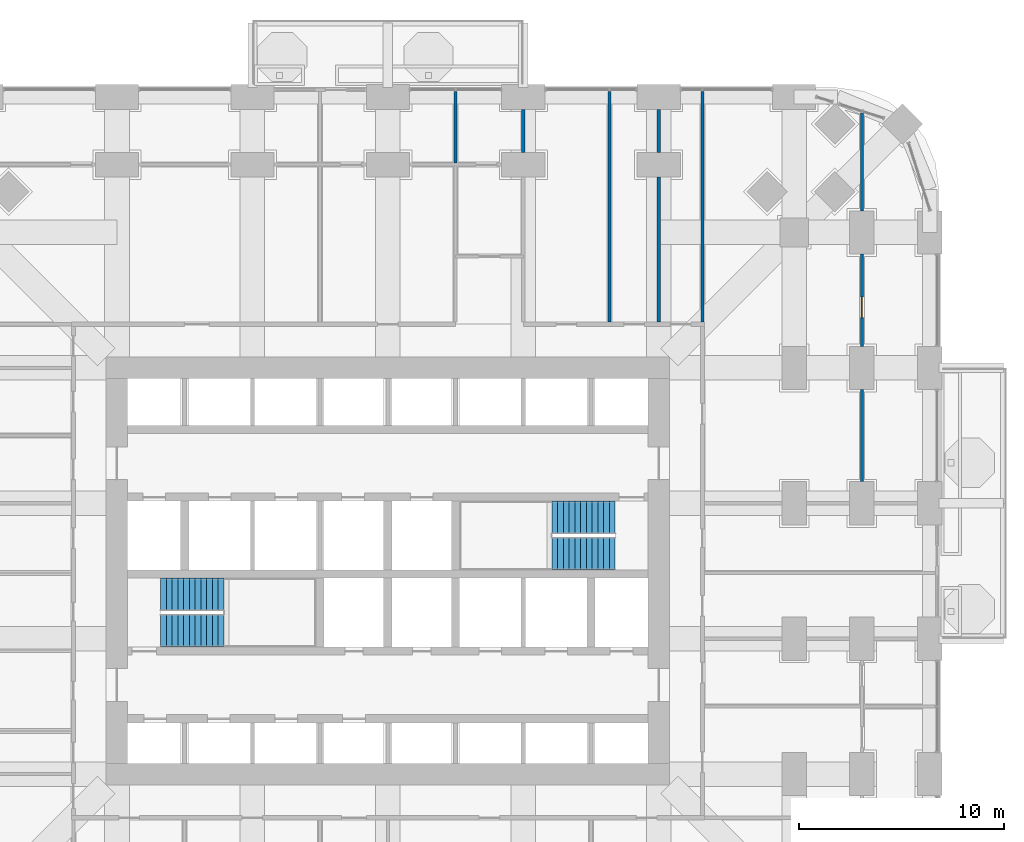
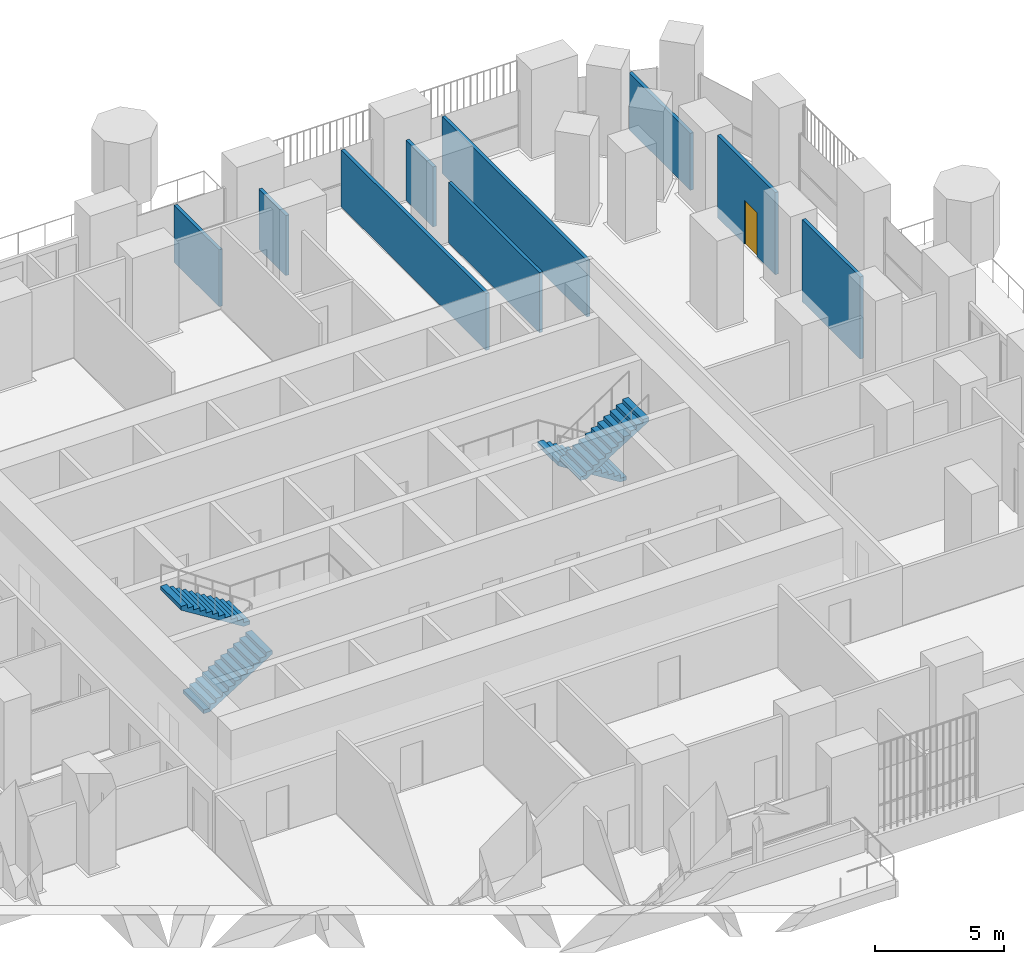
# One storey, part 21 of 26: 9 walls, 4 stair flights, 1 door, 1 opening, 2 elements without a shape of their own.
"""IFC4 building model written with IfcOpenShell, lengths in metres."""

import ifcopenshell
import ifcopenshell.guid

model = None  # the IFC model being written
_history = None  # IfcOwnerHistory: only IFC2X3 demands one
_inside = {}  # id of a spatial element -> (the spatial element, [elements in it])
_under = {}  # id of a project, library or spatial element -> (it, [spatial elements below it])
_declared = {}  # id of a project -> (the project, [libraries it declares])
_typed = {}  # id of a type object -> (the type object, [elements of that type])
_made_of = {}  # id of a material, layer set ... -> (it, [elements and type objects made of it])


def new_model(schema):
    """Start an empty IFC model of exactly this schema.

    Asked for "IFC4X3", IfcOpenShell would pick the latest addendum, in which some entities
    have other attributes; the version numbers below select the first issue.
    IFC2X3 requires an IfcOwnerHistory on every rooted entity: one is made here for all.
    """
    global model, _history
    if schema == "IFC4X3":
        model = ifcopenshell.file(schema_version=(4, 3, 0, 0))
    else:
        model = ifcopenshell.file(schema=schema)
    _inside.clear()
    _under.clear()
    _declared.clear()
    _typed.clear()
    _made_of.clear()
    _history = None
    if model.schema == "IFC2X3":
        org = make("IfcOrganization", Name="unknown")
        user = make(
            "IfcPersonAndOrganization",
            ThePerson=make("IfcPerson", FamilyName="unknown"),
            TheOrganization=org,
        )
        app = make(
            "IfcApplication",
            ApplicationDeveloper=org,
            Version="unknown",
            ApplicationFullName="unknown",
            ApplicationIdentifier="unknown",
        )
        _history = make(
            "IfcOwnerHistory",
            OwningUser=user,
            OwningApplication=app,
            ChangeAction="ADDED",
            CreationDate=0,
        )
    return model


def make(cls, **values):
    """One entity of the class cls with the attributes given. An attribute that is None is left unset."""
    return model.create_entity(
        cls, **{name: value for name, value in values.items() if value is not None}
    )


def rooted(cls, **values):
    """An entity with a GlobalId (a new one), such as an element, a storey or a relation."""
    return make(cls, GlobalId=ifcopenshell.guid.new(), OwnerHistory=_history, **values)


def si_unit(unit_type, name, prefix=None):
    """IfcSIUnit, for example si_unit("LENGTHUNIT", "METRE", prefix="MILLI")."""
    return make("IfcSIUnit", UnitType=unit_type, Prefix=prefix, Name=name)


def assignment(units):
    """IfcUnitAssignment: the units of a project."""
    return None if units is None else make("IfcUnitAssignment", Units=units)


def point(xyz):
    """IfcCartesianPoint."""
    return None if xyz is None else make("IfcCartesianPoint", Coordinates=xyz)


def direction(xyz):
    """IfcDirection."""
    return None if xyz is None else make("IfcDirection", DirectionRatios=xyz)


def frame(location, z_axis=None, x_axis=None):
    """IfcAxis2Placement3D, a coordinate frame: its origin and axes. An axis left out is left unset."""
    return make(
        "IfcAxis2Placement3D",
        Location=point(location),
        Axis=direction(z_axis),
        RefDirection=direction(x_axis),
    )


def frame_2d(location, x_axis=None):
    """IfcAxis2Placement2D, a coordinate frame in the plane: its origin and x axis."""
    return make(
        "IfcAxis2Placement2D", Location=point(location), RefDirection=direction(x_axis)
    )


def origin():
    """The frame at (0, 0, 0) with its axes left unset."""
    return frame((0.0, 0.0, 0.0))


def place(relative_to, where):
    """IfcLocalPlacement: puts the frame where relative to a parent placement (None: the world)."""
    return make(
        "IfcLocalPlacement", PlacementRelTo=relative_to, RelativePlacement=where
    )


def context(
    kind, dimensions, precision=None, world=None, true_north=None, identifier=None
):
    """IfcGeometricRepresentationContext, for example the 3D "Model" context."""
    return make(
        "IfcGeometricRepresentationContext",
        ContextIdentifier=identifier,
        ContextType=kind,
        CoordinateSpaceDimension=dimensions,
        Precision=precision,
        WorldCoordinateSystem=world,
        TrueNorth=true_north,
    )


def subcontext(parent, identifier, kind, view, scale=None):
    """IfcGeometricRepresentationSubContext, for example "Body" below "Model"."""
    return make(
        "IfcGeometricRepresentationSubContext",
        ContextIdentifier=identifier,
        ContextType=kind,
        ParentContext=parent,
        TargetScale=scale,
        TargetView=view,
    )


def project(units=None, contexts=None):
    """IfcProject with its units and contexts."""
    return rooted(
        "IfcProject",
        Name="project",
        RepresentationContexts=contexts,
        UnitsInContext=assignment(units),
    )


def spatial(cls, under=None, at=None, **own):
    """A site, building, storey or space (cls), placed at a placement, below another one or the project."""
    s = rooted(cls, ObjectPlacement=at, **own)
    if under is not None:
        _under.setdefault(under.id(), (under, []))[1].append(s)
    return s


def polyline(points):
    """IfcPolyline through the points."""
    return make("IfcPolyline", Points=[point(p) for p in points])


def profile(cls, at=None, kind="AREA", **sizes):
    """A parametric profile (cls). Its sizes go by their IFC names, for example OverallWidth=200.0."""
    return make(cls, ProfileType=kind, Position=at, **sizes)


def rectangle(**sizes):
    """IfcRectangleProfileDef."""
    return profile("IfcRectangleProfileDef", **sizes)


def outline(outer, holes=None, kind="AREA"):
    """IfcArbitraryClosedProfileDef: a profile drawn as a closed curve; with holes, ...WithVoids."""
    if holes is None:
        return make("IfcArbitraryClosedProfileDef", ProfileType=kind, OuterCurve=outer)
    return make(
        "IfcArbitraryProfileDefWithVoids",
        ProfileType=kind,
        OuterCurve=outer,
        InnerCurves=holes,
    )


def extrude(swept, where, along, depth):
    """IfcExtrudedAreaSolid: the profile swept, set in the frame where, extruded along a direction by depth."""
    return make(
        "IfcExtrudedAreaSolid",
        SweptArea=swept,
        Position=where,
        ExtrudedDirection=direction(along),
        Depth=depth,
    )


def shape(context_of_items, identifier, shape_type, items):
    """IfcShapeRepresentation: the items that make up one representation, for example the "Body"."""
    return make(
        "IfcShapeRepresentation",
        ContextOfItems=context_of_items,
        RepresentationIdentifier=identifier,
        RepresentationType=shape_type,
        Items=items,
    )


def material(Name=None, Category=None):
    """IfcMaterial."""
    return make("IfcMaterial", Name=Name, Category=Category)


def layer(
    of_material, thickness, ventilated=None, Name=None, Category=None, Priority=None
):
    """IfcMaterialLayer: one layer of a wall or slab, of a material (None: an air gap)."""
    return make(
        "IfcMaterialLayer",
        Material=of_material,
        LayerThickness=thickness,
        IsVentilated=ventilated,
        Name=Name,
        Category=Category,
        Priority=Priority,
    )


def layer_set(layers, Name=None):
    """IfcMaterialLayerSet."""
    return make("IfcMaterialLayerSet", MaterialLayers=layers, LayerSetName=Name)


def made_of(thing, what):
    """Note that an element or type object is made of a material, layer set ...; save() writes the relation."""
    if what is not None:
        _made_of.setdefault(what.id(), (what, []))[1].append(thing)
    return thing


def type_object(cls, material=None, **own):
    """A type object (cls), such as IfcWallType, which elements share."""
    return made_of(rooted(cls, **own), material)


def element(
    cls,
    number,
    at=None,
    inside=None,
    cuts=None,
    type_object=None,
    material=None,
    context=None,
    identifier="Body",
    shape_type=None,
    held_by="IfcProductDefinitionShape",
    body=None,
    shapes=None,
    **own,
):
    """One element of the class cls, such as IfcWall. Its Tag is "e" and its number.

    at: its placement. inside: the storey or other place that contains it. cuts: it is an
    opening in that element (IfcRelVoidsElement). A single representation is given by context,
    identifier, shape_type and body (its items); several are given by shapes. held_by: the class
    of the entity that holds the representations. save() writes the other relations.
    """
    e = rooted(cls, Tag="e%d" % number, ObjectPlacement=at, **own)
    if body is not None:
        shapes = [shape(context, identifier, shape_type, body)]
    if shapes is not None:
        e.Representation = make(held_by, Representations=shapes)
    if inside is not None:
        _inside.setdefault(inside.id(), (inside, []))[1].append(e)
    if cuts is not None:
        rooted(
            "IfcRelVoidsElement", RelatingBuildingElement=cuts, RelatedOpeningElement=e
        )
    if type_object is not None:
        _typed.setdefault(type_object.id(), (type_object, []))[1].append(e)
    return made_of(e, material)


def fill(opening, filler):
    """IfcRelFillsElement: the door or window that sits in an opening."""
    return rooted(
        "IfcRelFillsElement",
        RelatingOpeningElement=opening,
        RelatedBuildingElement=filler,
    )


def aggregate(whole, parts):
    """IfcRelAggregates: a whole, such as a stair, and the parts it consists of."""
    return rooted("IfcRelAggregates", RelatingObject=whole, RelatedObjects=parts)


def save(model, path):
    """Write the relations noted so far, then the file.

    IfcRelAggregates (storeys below a building ...), IfcRelContainedInSpatialStructure (elements
    in a storey), IfcRelDefinesByType, IfcRelAssociatesMaterial and IfcRelDeclares: one each for
    every whole, place, type object, material and project.
    """
    for whole, parts in _under.values():
        aggregate(whole, parts)
    for where, things in _inside.values():
        rooted(
            "IfcRelContainedInSpatialStructure",
            RelatedElements=things,
            RelatingStructure=where,
        )
    for kind, things in _typed.values():
        rooted("IfcRelDefinesByType", RelatedObjects=things, RelatingType=kind)
    for what, things in _made_of.values():
        rooted("IfcRelAssociatesMaterial", RelatedObjects=things, RelatingMaterial=what)
    for by, libraries in _declared.values():
        rooted("IfcRelDeclares", RelatingContext=by, RelatedDefinitions=libraries)
    model.write(path)


model = new_model("IFC4")

# Units and contexts
model_context = context("Model", 3, precision=1e-05, world=origin(), true_north=direction((0.0, 1.0)))
body_context = subcontext(model_context, "Body", "Model", "MODEL_VIEW")
ifc_project = project(units=[si_unit("LENGTHUNIT", "METRE"), si_unit("AREAUNIT", "SQUARE_METRE"), si_unit("VOLUMEUNIT", "CUBIC_METRE"), si_unit("PLANEANGLEUNIT", "RADIAN"), si_unit("MASSUNIT", "GRAM", prefix="KILO")], contexts=[model_context])

# Site, building, storey
site_placement = place(None, origin())
site = spatial("IfcSite", under=ifc_project, at=site_placement, CompositionType="ELEMENT")
building_placement = place(site_placement, origin())
building = spatial("IfcBuilding", under=site, at=building_placement, Name="Cobogo Forest Laboratory Tower", CompositionType="ELEMENT")
storey_placement = place(building_placement, frame((0.0, 0.0, 33.89990234375)))
storey = spatial("IfcBuildingStorey", under=building, at=storey_placement, Name="L07", CompositionType="ELEMENT", Elevation=33.89990234375)

# Walls
ifc_material_1 = material(Name="Gypsum board on steel studs", Category="steel")
ifc_layer = layer(ifc_material_1, 0.14990234375)
ifc_layer_set = layer_set([ifc_layer], Name="PT1 laboratory partition 150")
wall_type = type_object("IfcWallType", Name="PT1 laboratory partition 150", PredefinedType="PARTITIONING", material=ifc_layer_set)
wall_1_placement = place(storey_placement, frame((41.72509765625, 46.469970703125, 0.0), z_axis=(0.0, 0.0, 1.0), x_axis=(0.0, -1.0, 0.0)))
element("IfcWall", 1, at=wall_1_placement, inside=storey, type_object=wall_type, Name="Partition PW-NE L07", PredefinedType="PARTITIONING", context=body_context, shape_type="SweptSolid", body=[
    extrude(rectangle(XDim=11.244873046875, YDim=0.14990234375, at=frame_2d((5.62255859375, 0.0))), origin(), (0.0, 0.0, 1.0), 2.7001953125),
])
wall_2_placement = place(storey_placement, frame((49.5, 27.449951171875, 0.0), z_axis=(0.0, 0.0, 1.0), x_axis=(0.0, 1.0, 0.0)))
element("IfcWall", 2, at=wall_2_placement, inside=storey, type_object=wall_type, Name="Partition STRIP-E-3 L07", PredefinedType="PARTITIONING", context=body_context, shape_type="SweptSolid", body=[
    extrude(rectangle(XDim=4.5, YDim=0.14990234375, at=frame_2d((2.25, 0.0))), origin(), (0.0, 0.0, 1.0), 3.900146484375),
])

# Wall, opening, door
wall_3_placement = place(storey_placement, frame((49.5, 34.050048828125, 0.0), z_axis=(0.0, 0.0, 1.0), x_axis=(0.0, 1.0, 0.0)))
wall_3 = element("IfcWall", 3, at=wall_3_placement, inside=storey, type_object=wall_type, Name="Partition STRIP-E-4 L07", PredefinedType="PARTITIONING", context=body_context, shape_type="SweptSolid", body=[
    extrude(rectangle(XDim=4.5, YDim=0.14990234375, at=frame_2d((2.25, 0.0))), origin(), (0.0, 0.0, 1.0), 3.900146484375),
])
opening_placement = place(wall_3_placement, frame((1.39208984375, 0.0, 0.0)))
opening = element("IfcOpeningElement", 4, at=opening_placement, cuts=wall_3, Name="Opening L07-D45", PredefinedType="OPENING", context=body_context, shape_type="SweptSolid", body=[
    extrude(rectangle(XDim=1.0, YDim=2.10009765625, at=frame_2d((0.5, 1.050048828125))), frame((0.0, 0.0849609375, 0.0), z_axis=(0.0, -1.0, 0.0), x_axis=(1.0, 0.0, 0.0)), (0.0, 0.0, 1.0), 0.169921875),
])
ifc_material_2 = material(Name="Timber fire door", Category="wood")
door_type = type_object("IfcDoorType", Name="FD2 fire door 1000 EI2 30", OperationType="SINGLE_SWING_LEFT", PredefinedType="DOOR", material=ifc_material_2)
door_placement = place(opening_placement, origin())
door = element("IfcDoor", 5, at=door_placement, inside=storey, type_object=door_type, Name="Door L07-E3W", OperationType="SINGLE_SWING_LEFT", OverallHeight=2.10009765625, OverallWidth=1.0, PredefinedType="DOOR", context=body_context, shape_type="SweptSolid", body=[
    extrude(rectangle(XDim=1.0, YDim=2.10009765625, at=frame_2d((0.5, 1.050048828125))), frame((0.0, 0.02490234375, 0.0), z_axis=(0.0, -1.0, 0.0), x_axis=(1.0, 0.0, 0.0)), (0.0, 0.0, 1.0), 0.050048828125),
])
fill(opening, door)

# Walls
wall_4_placement = place(storey_placement, frame((49.5, 40.64990234375, 0.0), z_axis=(0.0, 0.0, 1.0), x_axis=(0.0, 1.0, 0.0)))
element("IfcWall", 6, at=wall_4_placement, inside=storey, type_object=wall_type, Name="Partition STRIP-E-5 L07", PredefinedType="PARTITIONING", context=body_context, shape_type="SweptSolid", body=[
    extrude(rectangle(XDim=4.774169921875, YDim=0.14990234375, at=frame_2d((2.38720703125, 0.0))), origin(), (0.0, 0.0, 1.0), 2.7001953125),
])
wall_5_placement = place(storey_placement, frame((37.199951171875, 46.469970703125, 0.0), z_axis=(0.0, 0.0, 1.0), x_axis=(0.0, -1.0, 0.0)))
element("IfcWall", 7, at=wall_5_placement, inside=storey, type_object=wall_type, Name="Partition SVC-N1-1 L07", PredefinedType="PARTITIONING", context=body_context, shape_type="SweptSolid", body=[
    extrude(rectangle(XDim=11.244873046875, YDim=0.14990234375, at=frame_2d((5.62255859375, 0.0))), origin(), (0.0, 0.0, 1.0), 2.7001953125),
])
wall_6_placement = place(storey_placement, frame((39.60009765625, 45.60009765625, 0.0), z_axis=(0.0, 0.0, 1.0), x_axis=(0.0, -1.0, 0.0)))
element("IfcWall", 8, at=wall_6_placement, inside=storey, type_object=wall_type, Name="Partition SVC-N2-1 L07", PredefinedType="PARTITIONING", context=body_context, shape_type="SweptSolid", body=[
    extrude(rectangle(XDim=2.10009765625, YDim=0.14990234375, at=frame_2d((1.050048828125, 0.0))), origin(), (0.0, 0.0, 1.0), 2.85009765625),
])
wall_7_placement = place(storey_placement, frame((39.60009765625, 42.300048828125, 0.0), z_axis=(0.0, 0.0, 1.0), x_axis=(0.0, -1.0, 0.0)))
element("IfcWall", 9, at=wall_7_placement, inside=storey, type_object=wall_type, Name="Partition SVC-N2-2 L07", PredefinedType="PARTITIONING", context=body_context, shape_type="SweptSolid", body=[
    extrude(rectangle(XDim=7.074951171875, YDim=0.14990234375, at=frame_2d((3.53759765625, 0.0))), origin(), (0.0, 0.0, 1.0), 2.85009765625),
])
wall_8_placement = place(storey_placement, frame((29.699951171875, 46.469970703125, 0.0), z_axis=(0.0, 0.0, 1.0), x_axis=(0.0, -1.0, 0.0)))
element("IfcWall", 10, at=wall_8_placement, inside=storey, type_object=wall_type, Name="Partition CUT-N29.7a-1 L07", PredefinedType="PARTITIONING", context=body_context, shape_type="SweptSolid", body=[
    extrude(rectangle(XDim=3.494873046875, YDim=0.14990234375, at=frame_2d((1.74755859375, 0.0))), origin(), (0.0, 0.0, 1.0), 2.7001953125),
])
wall_9_placement = place(storey_placement, frame((33.0, 45.60009765625, 0.0), z_axis=(0.0, 0.0, 1.0), x_axis=(0.0, -1.0, 0.0)))
element("IfcWall", 11, at=wall_9_placement, inside=storey, type_object=wall_type, Name="Partition CUT-N33-1 L07", PredefinedType="PARTITIONING", context=body_context, shape_type="SweptSolid", body=[
    extrude(rectangle(XDim=2.10009765625, YDim=0.14990234375, at=frame_2d((1.050048828125, 0.0))), origin(), (0.0, 0.0, 1.0), 2.85009765625),
])

# Stair, stair flights
ifc_material_3 = material(Name="Precast concrete HA-40 (C40/50)", Category="concrete")
stair_type = type_object("IfcStairType", Name="ST24 exit stair 24 risers", PredefinedType="HALF_TURN_STAIR", material=ifc_material_3)
stair_1_placement = place(storey_placement, origin())
stair_1 = element("IfcStair", 12, at=stair_1_placement, inside=storey, type_object=stair_type, Name="Stair 1 L07 to L08", PredefinedType="HALF_TURN_STAIR")
stair_flight_type = type_object("IfcStairFlightType", Name="ST stair flight 280 going", PredefinedType="STRAIGHT", material=ifc_material_3)
stair_flight_1_placement = place(storey_placement, frame((15.324951171875, 20.199951171875, 0.0), z_axis=(0.0, 0.0, 1.0), x_axis=(1.0, 0.0, 0.0)))
stair_flight_1 = element("IfcStairFlight", 13, at=stair_flight_1_placement, type_object=stair_flight_type, Name="ST1 flight 1", NumberOfRisers=12, NumberOfTreads=11, PredefinedType="STRAIGHT", RiserHeight=0.175, TreadLength=0.28, context=body_context, shape_type="SweptSolid", body=[
    extrude(outline(polyline([(0.0, 0.0), (0.0, 0.175048828125), (0.280029296875, 0.175048828125), (0.280029296875, 0.35009765625), (0.56005859375, 0.35009765625), (0.56005859375, 0.52490234375), (0.840087890625, 0.52490234375), (0.840087890625, 0.699951171875), (1.1201171875, 0.699951171875), (1.1201171875, 0.875), (1.39990234375, 0.875), (1.39990234375, 1.050048828125), (1.679931640625, 1.050048828125), (1.679931640625, 1.22509765625), (1.9599609375, 1.22509765625), (1.9599609375, 1.39990234375), (2.239990234375, 1.39990234375), (2.239990234375, 1.574951171875), (2.52001953125, 1.574951171875), (2.52001953125, 1.75), (2.800048828125, 1.75), (2.800048828125, 1.925048828125), (3.080078125, 1.925048828125), (3.080078125, 2.10009765625), (3.080078125, 1.748291015625), (0.28271484375, 0.0), (0.0, 0.0)])), frame((0.0, 0.800048828125, 0.0), z_axis=(0.0, -1.0, 0.0), x_axis=(1.0, 0.0, 0.0)), (0.0, 0.0, 1.0), 1.60009765625),
])
stair_flight_2_placement = place(storey_placement, frame((18.405029296875, 21.949951171875, 2.10009765625), z_axis=(0.0, 0.0, 1.0), x_axis=(-1.0, 0.0, 0.0)))
stair_flight_2 = element("IfcStairFlight", 14, at=stair_flight_2_placement, type_object=stair_flight_type, Name="ST1 flight 2", NumberOfRisers=12, NumberOfTreads=11, PredefinedType="STRAIGHT", RiserHeight=0.175, TreadLength=0.28, context=body_context, shape_type="SweptSolid", body=[
    extrude(outline(polyline([(0.0, 0.0), (0.0, 0.175048828125), (0.280029296875, 0.175048828125), (0.280029296875, 0.35009765625), (0.56005859375, 0.35009765625), (0.56005859375, 0.52490234375), (0.840087890625, 0.52490234375), (0.840087890625, 0.699951171875), (1.1201171875, 0.699951171875), (1.1201171875, 0.875), (1.39990234375, 0.875), (1.39990234375, 1.050048828125), (1.679931640625, 1.050048828125), (1.679931640625, 1.22509765625), (1.9599609375, 1.22509765625), (1.9599609375, 1.39990234375), (2.239990234375, 1.39990234375), (2.239990234375, 1.574951171875), (2.52001953125, 1.574951171875), (2.52001953125, 1.75), (2.800048828125, 1.75), (2.800048828125, 1.925048828125), (3.080078125, 1.925048828125), (3.080078125, 2.10009765625), (3.080078125, 1.748291015625), (0.28271484375, 0.0), (0.0, 0.0)])), frame((0.0, 0.800048828125, 0.0), z_axis=(0.0, -1.0, 0.0), x_axis=(1.0, 0.0, 0.0)), (0.0, 0.0, 1.0), 1.60009765625),
])
aggregate(stair_1, [stair_flight_1, stair_flight_2])

stair_2_placement = place(storey_placement, origin())
stair_2 = element("IfcStair", 15, at=stair_2_placement, inside=storey, type_object=stair_type, Name="Stair 2 L07 to L08", PredefinedType="HALF_TURN_STAIR")
stair_flight_3_placement = place(storey_placement, frame((37.47509765625, 25.699951171875, 0.0), z_axis=(0.0, 0.0, 1.0), x_axis=(-1.0, 0.0, 0.0)))
stair_flight_3 = element("IfcStairFlight", 16, at=stair_flight_3_placement, type_object=stair_flight_type, Name="ST2 flight 1", NumberOfRisers=12, NumberOfTreads=11, PredefinedType="STRAIGHT", RiserHeight=0.175, TreadLength=0.28, context=body_context, shape_type="SweptSolid", body=[
    extrude(outline(polyline([(0.0, 0.0), (0.0, 0.175048828125), (0.280029296875, 0.175048828125), (0.280029296875, 0.35009765625), (0.56005859375, 0.35009765625), (0.56005859375, 0.52490234375), (0.840087890625, 0.52490234375), (0.840087890625, 0.699951171875), (1.1201171875, 0.699951171875), (1.1201171875, 0.875), (1.39990234375, 0.875), (1.39990234375, 1.050048828125), (1.679931640625, 1.050048828125), (1.679931640625, 1.22509765625), (1.9599609375, 1.22509765625), (1.9599609375, 1.39990234375), (2.239990234375, 1.39990234375), (2.239990234375, 1.574951171875), (2.52001953125, 1.574951171875), (2.52001953125, 1.75), (2.800048828125, 1.75), (2.800048828125, 1.925048828125), (3.080078125, 1.925048828125), (3.080078125, 2.10009765625), (3.080078125, 1.748291015625), (0.28271484375, 0.0), (0.0, 0.0)])), frame((0.0, 0.800048828125, 0.0), z_axis=(0.0, -1.0, 0.0), x_axis=(1.0, 0.0, 0.0)), (0.0, 0.0, 1.0), 1.60009765625),
])
stair_flight_4_placement = place(storey_placement, frame((34.39501953125, 23.949951171875, 2.10009765625), z_axis=(0.0, 0.0, 1.0), x_axis=(1.0, 0.0, 0.0)))
stair_flight_4 = element("IfcStairFlight", 17, at=stair_flight_4_placement, type_object=stair_flight_type, Name="ST2 flight 2", NumberOfRisers=12, NumberOfTreads=11, PredefinedType="STRAIGHT", RiserHeight=0.175, TreadLength=0.28, context=body_context, shape_type="SweptSolid", body=[
    extrude(outline(polyline([(0.0, 0.0), (0.0, 0.175048828125), (0.280029296875, 0.175048828125), (0.280029296875, 0.35009765625), (0.56005859375, 0.35009765625), (0.56005859375, 0.52490234375), (0.840087890625, 0.52490234375), (0.840087890625, 0.699951171875), (1.1201171875, 0.699951171875), (1.1201171875, 0.875), (1.39990234375, 0.875), (1.39990234375, 1.050048828125), (1.679931640625, 1.050048828125), (1.679931640625, 1.22509765625), (1.9599609375, 1.22509765625), (1.9599609375, 1.39990234375), (2.239990234375, 1.39990234375), (2.239990234375, 1.574951171875), (2.52001953125, 1.574951171875), (2.52001953125, 1.75), (2.800048828125, 1.75), (2.800048828125, 1.925048828125), (3.080078125, 1.925048828125), (3.080078125, 2.10009765625), (3.080078125, 1.748291015625), (0.28271484375, 0.0), (0.0, 0.0)])), frame((0.0, 0.800048828125, 0.0), z_axis=(0.0, -1.0, 0.0), x_axis=(1.0, 0.0, 0.0)), (0.0, 0.0, 1.0), 1.60009765625),
])
aggregate(stair_2, [stair_flight_3, stair_flight_4])

save(model, "model.ifc")
